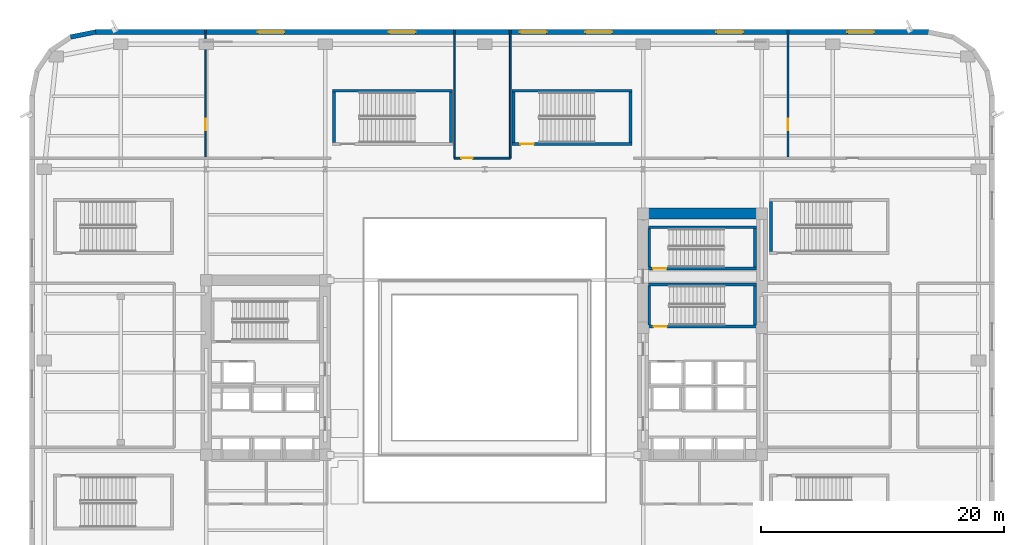
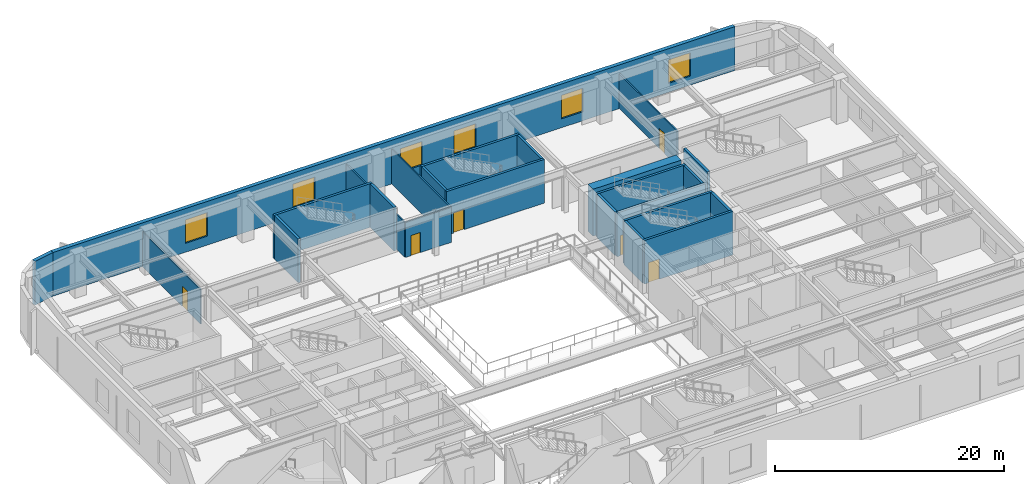
# One storey, part 10 of 24: 24 walls, 6 doors, 6 windows, 12 openings.
"""IFC4 building model written with IfcOpenShell, lengths in metres."""

from ifc_helpers import new_model, si_unit, direction, frame, frame_2d, origin, place, context, subcontext, project, spatial, rectangle, extrude, material, layer, layer_set, type_object, element, fill, save


model = new_model("IFC4")

# Units and contexts
model_context = context("Model", 3, precision=1e-05, world=origin(), true_north=direction((0.0, 1.0)))
body_context = subcontext(model_context, "Body", "Model", "MODEL_VIEW")
ifc_project = project(units=[si_unit("LENGTHUNIT", "METRE"), si_unit("AREAUNIT", "SQUARE_METRE"), si_unit("VOLUMEUNIT", "CUBIC_METRE"), si_unit("PLANEANGLEUNIT", "RADIAN"), si_unit("MASSUNIT", "GRAM", prefix="KILO")], contexts=[model_context])

# Site, building, storey
site_placement = place(None, origin())
site = spatial("IfcSite", under=ifc_project, at=site_placement, CompositionType="ELEMENT")
building_placement = place(site_placement, origin())
building = spatial("IfcBuilding", under=site, at=building_placement, Name="Kolvaren Arena Tower", CompositionType="ELEMENT")
storey_placement = place(building_placement, frame((0.0, 0.0, 23.0)))
storey = spatial("IfcBuildingStorey", under=building, at=storey_placement, Name="L04", CompositionType="ELEMENT", Elevation=23.0)

# Wall, opening, door
ifc_material_1 = material(Name="Gypsum board acoustic assembly", Category="gypsum")
ifc_layer_1 = layer(ifc_material_1, 0.159912109375)
ifc_layer_set_1 = layer_set([ifc_layer_1], Name="Gypsum board acoustic assembly")
wall_type_1 = type_object("IfcWallType", Name="CORR-160", PredefinedType="PARTITIONING", material=ifc_layer_set_1)
wall_1_placement = place(storey_placement, frame((35.0, 43.919921875, 0.0), z_axis=(0.0, 0.0, 1.0), x_axis=(1.0, 0.0, 0.0)))
wall_1 = element("IfcWall", 1, at=wall_1_placement, inside=storey, type_object=wall_type_1, Name="Interior Partition Wall (L04)", PredefinedType="PARTITIONING", context=body_context, shape_type="SweptSolid", body=[
    extrude(rectangle(XDim=4.60009765625, YDim=0.159912109375, at=frame_2d((2.300048828125, 0.0))), origin(), (0.0, 0.0, 1.0), 3.7099609375),
])
opening_1_placement = place(wall_1_placement, frame((0.550048828125, 0.0, 0.0)))
opening_1 = element("IfcOpeningElement", 2, at=opening_1_placement, cuts=wall_1, Name="Opening D05", PredefinedType="OPENING", context=body_context, shape_type="SweptSolid", body=[
    extrude(rectangle(XDim=0.949951171875, YDim=2.14990234375, at=frame_2d((0.47509765625, 1.074951171875))), frame((0.0, 0.08984375, 0.0), z_axis=(0.0, -1.0, 0.0), x_axis=(1.0, 0.0, 0.0)), (0.0, 0.0, 1.0), 0.179931640625),
])
ifc_material_2 = material(Name="Solid-core oak acoustic office door", Category="wood")
door_type_1 = type_object("IfcDoorType", Name="DOOR-OF-095", OperationType="NOTDEFINED", PredefinedType="DOOR", material=ifc_material_2)
door_1_placement = place(opening_1_placement, origin())
door_1 = element("IfcDoor", 3, at=door_1_placement, inside=storey, type_object=door_type_1, Name="North Concourse Lounge Door (L04)", OperationType="SINGLE_SWING_RIGHT", OverallHeight=2.14990234375, OverallWidth=0.949951171875, PredefinedType="DOOR", context=body_context, shape_type="SweptSolid", body=[
    extrude(rectangle(XDim=0.949951171875, YDim=2.14990234375, at=frame_2d((0.47509765625, 1.074951171875))), frame((0.0, 0.02490234375, 0.0), z_axis=(0.0, -1.0, 0.0), x_axis=(1.0, 0.0, 0.0)), (0.0, 0.0, 1.0), 0.050048828125),
])
fill(opening_1, door_1)

# Wall
ifc_material_3 = material(Name="Concrete 80 MPa", Category="concrete")
ifc_layer_2 = layer(ifc_material_3, 0.89990234375)
ifc_layer_set_2 = layer_set([ifc_layer_2], Name="Concrete 80 MPa")
wall_type_2 = type_object("IfcWallType", Name="CWALL-900", PredefinedType="SHEAR", material=ifc_layer_set_2)
wall_2_placement = place(storey_placement, frame((51.0, 39.35009765625, -0.35009765625), z_axis=(0.0, 0.0, 1.0), x_axis=(1.0, 0.0, 0.0)))
element("IfcWall", 4, at=wall_2_placement, inside=storey, type_object=wall_type_2, Name="Core Shear Wall EC-NORTH (L04)", PredefinedType="SHEAR", context=body_context, shape_type="SweptSolid", body=[
    extrude(rectangle(XDim=8.89990234375, YDim=0.89990234375, at=frame_2d((4.449951171875, 0.0))), origin(), (0.0, 0.0, 1.0), 5.0),
])

# Wall, openings, windows
ifc_material_4 = material(Name="Precast concrete C50/60", Category="concrete")
ifc_layer_3 = layer(ifc_material_4, 0.3798828125)
ifc_layer_set_3 = layer_set([ifc_layer_3], Name="Precast concrete C50/60")
wall_type_3 = type_object("IfcWallType", Name="EXT-ARENA", PredefinedType="SOLIDWALL", material=ifc_layer_set_3)
wall_3_placement = place(storey_placement, frame((5.39990234375, 54.31005859375, 0.0), z_axis=(0.0, 0.0, 1.0), x_axis=(1.0, 0.0, 0.0)))
wall_3 = element("IfcWall", 5, at=wall_3_placement, inside=storey, type_object=wall_type_3, Name="Exterior Precast Masonry-Frame Wall (L04)", PredefinedType="SOLIDWALL", context=body_context, shape_type="SweptSolid", body=[
    extrude(rectangle(XDim=68.7001953125, YDim=0.3798828125, at=frame_2d((34.35009765625, 0.0))), origin(), (0.0, 0.0, 1.0), 4.64990234375),
])
opening_2_placement = place(wall_3_placement, frame((13.39990234375, 0.0, 0.949951171875)))
opening_2 = element("IfcOpeningElement", 6, at=opening_2_placement, cuts=wall_3, Name="Opening W07", PredefinedType="OPENING", context=body_context, shape_type="SweptSolid", body=[
    extrude(rectangle(XDim=2.199951171875, YDim=2.5, at=frame_2d((1.10009765625, 1.25))), frame((0.0, 0.199951171875, 0.0), z_axis=(0.0, -1.0, 0.0), x_axis=(1.0, 0.0, 0.0)), (0.0, 0.0, 1.0), 0.39990234375),
])
opening_3_placement = place(wall_3_placement, frame((24.199951171875, 0.0, 0.949951171875)))
opening_3 = element("IfcOpeningElement", 7, at=opening_3_placement, cuts=wall_3, Name="Opening W07", PredefinedType="OPENING", context=body_context, shape_type="SweptSolid", body=[
    extrude(rectangle(XDim=2.199951171875, YDim=2.5, at=frame_2d((1.10009765625, 1.25))), frame((0.0, 0.199951171875, 0.0), z_axis=(0.0, -1.0, 0.0), x_axis=(1.0, 0.0, 0.0)), (0.0, 0.0, 1.0), 0.39990234375),
])
opening_4_placement = place(wall_3_placement, frame((35.0, 0.0, 0.949951171875)))
opening_4 = element("IfcOpeningElement", 8, at=opening_4_placement, cuts=wall_3, Name="Opening W07", PredefinedType="OPENING", context=body_context, shape_type="SweptSolid", body=[
    extrude(rectangle(XDim=2.199951171875, YDim=2.5, at=frame_2d((1.10009765625, 1.25))), frame((0.0, 0.199951171875, 0.0), z_axis=(0.0, -1.0, 0.0), x_axis=(1.0, 0.0, 0.0)), (0.0, 0.0, 1.0), 0.39990234375),
])
opening_5_placement = place(wall_3_placement, frame((40.39990234375, 0.0, 0.949951171875)))
opening_5 = element("IfcOpeningElement", 9, at=opening_5_placement, cuts=wall_3, Name="Opening W07", PredefinedType="OPENING", context=body_context, shape_type="SweptSolid", body=[
    extrude(rectangle(XDim=2.199951171875, YDim=2.5, at=frame_2d((1.10009765625, 1.25))), frame((0.0, 0.199951171875, 0.0), z_axis=(0.0, -1.0, 0.0), x_axis=(1.0, 0.0, 0.0)), (0.0, 0.0, 1.0), 0.39990234375),
])
opening_6_placement = place(wall_3_placement, frame((51.199951171875, 0.0, 0.949951171875)))
opening_6 = element("IfcOpeningElement", 10, at=opening_6_placement, cuts=wall_3, Name="Opening W07", PredefinedType="OPENING", context=body_context, shape_type="SweptSolid", body=[
    extrude(rectangle(XDim=2.199951171875, YDim=2.5, at=frame_2d((1.10009765625, 1.25))), frame((0.0, 0.199951171875, 0.0), z_axis=(0.0, -1.0, 0.0), x_axis=(1.0, 0.0, 0.0)), (0.0, 0.0, 1.0), 0.39990234375),
])
opening_7_placement = place(wall_3_placement, frame((62.0, 0.0, 0.949951171875)))
opening_7 = element("IfcOpeningElement", 11, at=opening_7_placement, cuts=wall_3, Name="Opening W07", PredefinedType="OPENING", context=body_context, shape_type="SweptSolid", body=[
    extrude(rectangle(XDim=2.199951171875, YDim=2.5, at=frame_2d((1.10009765625, 1.25))), frame((0.0, 0.199951171875, 0.0), z_axis=(0.0, -1.0, 0.0), x_axis=(1.0, 0.0, 0.0)), (0.0, 0.0, 1.0), 0.39990234375),
])
ifc_material_5 = material(Name="Triple-glazed arena concourse window", Category="glass")
window_type = type_object("IfcWindowType", Name="WIN-POD-A", PartitioningType="DOUBLE_PANEL_VERTICAL", PredefinedType="WINDOW", material=ifc_material_5)
window_1_placement = place(opening_2_placement, origin())
window_1 = element("IfcWindow", 12, at=window_1_placement, inside=storey, type_object=window_type, Name="Punched Precast-Pier Window (L04)", OverallHeight=2.5, OverallWidth=2.199951171875, PartitioningType="DOUBLE_PANEL_VERTICAL", PredefinedType="WINDOW", context=body_context, shape_type="SweptSolid", body=[
    extrude(rectangle(XDim=2.199951171875, YDim=2.5, at=frame_2d((1.10009765625, 1.25))), frame((0.0, 0.030029296875, 0.0), z_axis=(0.0, -1.0, 0.0), x_axis=(1.0, 0.0, 0.0)), (0.0, 0.0, 1.0), 0.06005859375),
])
fill(opening_2, window_1)
window_2_placement = place(opening_3_placement, origin())
window_2 = element("IfcWindow", 13, at=window_2_placement, inside=storey, type_object=window_type, Name="Punched Precast-Pier Window (L04)", OverallHeight=2.5, OverallWidth=2.199951171875, PartitioningType="DOUBLE_PANEL_VERTICAL", PredefinedType="WINDOW", context=body_context, shape_type="SweptSolid", body=[
    extrude(rectangle(XDim=2.199951171875, YDim=2.5, at=frame_2d((1.10009765625, 1.25))), frame((0.0, 0.030029296875, 0.0), z_axis=(0.0, -1.0, 0.0), x_axis=(1.0, 0.0, 0.0)), (0.0, 0.0, 1.0), 0.06005859375),
])
fill(opening_3, window_2)
window_3_placement = place(opening_4_placement, origin())
window_3 = element("IfcWindow", 14, at=window_3_placement, inside=storey, type_object=window_type, Name="Punched Precast-Pier Window (L04)", OverallHeight=2.5, OverallWidth=2.199951171875, PartitioningType="DOUBLE_PANEL_VERTICAL", PredefinedType="WINDOW", context=body_context, shape_type="SweptSolid", body=[
    extrude(rectangle(XDim=2.199951171875, YDim=2.5, at=frame_2d((1.10009765625, 1.25))), frame((0.0, 0.030029296875, 0.0), z_axis=(0.0, -1.0, 0.0), x_axis=(1.0, 0.0, 0.0)), (0.0, 0.0, 1.0), 0.06005859375),
])
fill(opening_4, window_3)
window_4_placement = place(opening_5_placement, origin())
window_4 = element("IfcWindow", 15, at=window_4_placement, inside=storey, type_object=window_type, Name="Punched Precast-Pier Window (L04)", OverallHeight=2.5, OverallWidth=2.199951171875, PartitioningType="DOUBLE_PANEL_VERTICAL", PredefinedType="WINDOW", context=body_context, shape_type="SweptSolid", body=[
    extrude(rectangle(XDim=2.199951171875, YDim=2.5, at=frame_2d((1.10009765625, 1.25))), frame((0.0, 0.030029296875, 0.0), z_axis=(0.0, -1.0, 0.0), x_axis=(1.0, 0.0, 0.0)), (0.0, 0.0, 1.0), 0.06005859375),
])
fill(opening_5, window_4)
window_5_placement = place(opening_6_placement, origin())
window_5 = element("IfcWindow", 16, at=window_5_placement, inside=storey, type_object=window_type, Name="Punched Precast-Pier Window (L04)", OverallHeight=2.5, OverallWidth=2.199951171875, PartitioningType="DOUBLE_PANEL_VERTICAL", PredefinedType="WINDOW", context=body_context, shape_type="SweptSolid", body=[
    extrude(rectangle(XDim=2.199951171875, YDim=2.5, at=frame_2d((1.10009765625, 1.25))), frame((0.0, 0.030029296875, 0.0), z_axis=(0.0, -1.0, 0.0), x_axis=(1.0, 0.0, 0.0)), (0.0, 0.0, 1.0), 0.06005859375),
])
fill(opening_6, window_5)
window_6_placement = place(opening_7_placement, origin())
window_6 = element("IfcWindow", 17, at=window_6_placement, inside=storey, type_object=window_type, Name="Punched Precast-Pier Window (L04)", OverallHeight=2.5, OverallWidth=2.199951171875, PartitioningType="DOUBLE_PANEL_VERTICAL", PredefinedType="WINDOW", context=body_context, shape_type="SweptSolid", body=[
    extrude(rectangle(XDim=2.199951171875, YDim=2.5, at=frame_2d((1.10009765625, 1.25))), frame((0.0, 0.030029296875, 0.0), z_axis=(0.0, -1.0, 0.0), x_axis=(1.0, 0.0, 0.0)), (0.0, 0.0, 1.0), 0.06005859375),
])
fill(opening_7, window_6)

# Wall
wall_4_placement = place(storey_placement, frame((3.37060546875, 53.902587890625, 0.0), z_axis=(0.0, 0.0, 1.0), x_axis=(0.9807762837, 0.195135546048, 0.0)))
element("IfcWall", 18, at=wall_4_placement, inside=storey, type_object=wall_type_3, Name="Exterior Precast Masonry-Frame Wall (L04)", PredefinedType="SOLIDWALL", context=body_context, shape_type="SweptSolid", body=[
    extrude(rectangle(XDim=2.10693359375, YDim=0.3798828125, at=frame_2d((1.053466796875, 0.0))), origin(), (0.0, 0.0, 1.0), 4.64990234375),
])

# Wall, opening, door
ifc_material_6 = material(Name="Gypsum board partition assembly", Category="gypsum")
ifc_layer_4 = layer(ifc_material_6, 0.135009765625)
ifc_layer_set_4 = layer_set([ifc_layer_4], Name="Gypsum board partition assembly")
wall_type_4 = type_object("IfcWallType", Name="PART-135", PredefinedType="PARTITIONING", material=ifc_layer_set_4)
wall_5_placement = place(storey_placement, frame((14.5, 44.010009765625, 0.0), z_axis=(0.0, 0.0, 1.0), x_axis=(0.0, 1.0, 0.0)))
wall_5 = element("IfcWall", 19, at=wall_5_placement, inside=storey, type_object=wall_type_4, Name="Interior Partition Wall (L04)", PredefinedType="PARTITIONING", context=body_context, shape_type="SweptSolid", body=[
    extrude(rectangle(XDim=10.489990234375, YDim=0.135009765625, at=frame_2d((5.2451171875, 0.0))), origin(), (0.0, 0.0, 1.0), 3.7099609375),
])
opening_8_placement = place(wall_5_placement, frame((2.199951171875, 0.0, 0.0)))
opening_8 = element("IfcOpeningElement", 20, at=opening_8_placement, cuts=wall_5, Name="Opening D05", PredefinedType="OPENING", context=body_context, shape_type="SweptSolid", body=[
    extrude(rectangle(XDim=0.949951171875, YDim=2.14990234375, at=frame_2d((0.47509765625, 1.074951171875))), frame((0.0, 0.077392578125, 0.0), z_axis=(0.0, -1.0, 0.0), x_axis=(1.0, 0.0, 0.0)), (0.0, 0.0, 1.0), 0.155029296875),
])
door_2_placement = place(opening_8_placement, origin())
door_2 = element("IfcDoor", 21, at=door_2_placement, inside=storey, type_object=door_type_1, Name="Meeting Room Connecting Door (L04)", OperationType="SINGLE_SWING_LEFT", OverallHeight=2.14990234375, OverallWidth=0.949951171875, PredefinedType="DOOR", context=body_context, shape_type="SweptSolid", body=[
    extrude(rectangle(XDim=0.949951171875, YDim=2.14990234375, at=frame_2d((0.47509765625, 1.074951171875))), frame((0.0, 0.02490234375, 0.0), z_axis=(0.0, -1.0, 0.0), x_axis=(1.0, 0.0, 0.0)), (0.0, 0.0, 1.0), 0.050048828125),
])
fill(opening_8, door_2)

wall_6_placement = place(storey_placement, frame((62.5, 44.010009765625, 0.0), z_axis=(0.0, 0.0, 1.0), x_axis=(0.0, 1.0, 0.0)))
wall_6 = element("IfcWall", 22, at=wall_6_placement, inside=storey, type_object=wall_type_4, Name="Interior Partition Wall (L04)", PredefinedType="PARTITIONING", context=body_context, shape_type="SweptSolid", body=[
    extrude(rectangle(XDim=10.489990234375, YDim=0.135009765625, at=frame_2d((5.2451171875, 0.0))), origin(), (0.0, 0.0, 1.0), 3.7099609375),
])
opening_9_placement = place(wall_6_placement, frame((2.199951171875, 0.0, 0.0)))
opening_9 = element("IfcOpeningElement", 23, at=opening_9_placement, cuts=wall_6, Name="Opening D05", PredefinedType="OPENING", context=body_context, shape_type="SweptSolid", body=[
    extrude(rectangle(XDim=0.949951171875, YDim=2.14990234375, at=frame_2d((0.47509765625, 1.074951171875))), frame((0.0, 0.077392578125, 0.0), z_axis=(0.0, -1.0, 0.0), x_axis=(1.0, 0.0, 0.0)), (0.0, 0.0, 1.0), 0.155029296875),
])
door_3_placement = place(opening_9_placement, origin())
door_3 = element("IfcDoor", 24, at=door_3_placement, inside=storey, type_object=door_type_1, Name="Training Seminar Room Connecting Door (L04)", OperationType="SINGLE_SWING_LEFT", OverallHeight=2.14990234375, OverallWidth=0.949951171875, PredefinedType="DOOR", context=body_context, shape_type="SweptSolid", body=[
    extrude(rectangle(XDim=0.949951171875, YDim=2.14990234375, at=frame_2d((0.47509765625, 1.074951171875))), frame((0.0, 0.02490234375, 0.0), z_axis=(0.0, -1.0, 0.0), x_axis=(1.0, 0.0, 0.0)), (0.0, 0.0, 1.0), 0.050048828125),
])
fill(opening_9, door_3)

# Walls
for number, where, z_axis, x_axis, name in (
    (25, (35.0, 43.919921875, 0.0), (0.0, 0.0, 1.0), (0.0, 1.0, 0.0), "Interior Partition Wall (L04)"),
    (26, (39.60009765625, 43.919921875, 0.0), (0.0, 0.0, 1.0), (0.0, 1.0, 0.0), "Interior Partition Wall (L04)"),
):
    element("IfcWall", number, at=place(storey_placement, frame(where, z_axis=z_axis, x_axis=x_axis)), inside=storey, type_object=wall_type_4, Name=name, PredefinedType="PARTITIONING", context=body_context, shape_type="SweptSolid", body=[
        extrude(rectangle(XDim=10.580078125, YDim=0.135009765625, at=frame_2d((5.2900390625, 0.0))), origin(), (0.0, 0.0, 1.0), 3.7099609375),
    ])
ifc_material_7 = material(Name="Concrete 45 MPa", Category="concrete")
ifc_layer_5 = layer(ifc_material_7, 0.25)
ifc_layer_set_5 = layer_set([ifc_layer_5], Name="Concrete 45 MPa")
wall_type_5 = type_object("IfcWallType", Name="SHAFT-250", PredefinedType="SOLIDWALL", material=ifc_layer_set_5)
wall_7_placement = place(storey_placement, frame((24.9599609375, 49.469970703125, 0.0), z_axis=(0.0, 0.0, 1.0), x_axis=(1.0, 0.0, 0.0)))
element("IfcWall", 27, at=wall_7_placement, inside=storey, type_object=wall_type_5, Name="Stair ST-A6 Rear Shaft Wall (L04)", PredefinedType="SOLIDWALL", context=body_context, shape_type="SweptSolid", body=[
    extrude(rectangle(XDim=9.880126953125, YDim=0.239990234375, at=frame_2d((4.93994140625, 0.0))), origin(), (0.0, 0.0, 1.0), 4.64990234375),
])
for number, where, z_axis, x_axis, name in (
    (28, (25.080078125, 45.199951171875, 0.0), (0.0, 0.0, 1.0), (0.0, 1.0, 0.0), "Stair ST-A6 West Shaft Wall (L04)"),
    (29, (34.719970703125, 45.199951171875, 0.0), (0.0, 0.0, 1.0), (0.0, 1.0, 0.0), "Stair ST-A6 East Shaft Wall (L04)"),
):
    element("IfcWall", number, at=place(storey_placement, frame(where, z_axis=z_axis, x_axis=x_axis)), inside=storey, type_object=wall_type_5, Name=name, PredefinedType="SOLIDWALL", context=body_context, shape_type="SweptSolid", body=[
        extrude(rectangle(XDim=4.150146484375, YDim=0.239990234375, at=frame_2d((2.0751953125, 0.0))), origin(), (0.0, 0.0, 1.0), 4.64990234375),
    ])

# Wall, opening, door
wall_8_placement = place(storey_placement, frame((49.639892578125, 45.080078125, 0.0), z_axis=(0.0, 0.0, 1.0), x_axis=(-1.0, 0.0, 0.0)))
wall_8 = element("IfcWall", 30, at=wall_8_placement, inside=storey, type_object=wall_type_5, Name="Stair ST-A7 Rated Enclosure Wall (L04)", PredefinedType="SOLIDWALL", context=body_context, shape_type="SweptSolid", body=[
    extrude(rectangle(XDim=9.8798828125, YDim=0.239990234375, at=frame_2d((4.93994140625, 0.0))), origin(), (0.0, 0.0, 1.0), 4.64990234375),
])
opening_10_placement = place(wall_8_placement, frame((8.090087890625, 0.0, 0.0)))
opening_10 = element("IfcOpeningElement", 31, at=opening_10_placement, cuts=wall_8, Name="Opening D03", PredefinedType="OPENING", context=body_context, shape_type="SweptSolid", body=[
    extrude(rectangle(XDim=1.10009765625, YDim=2.14990234375, at=frame_2d((0.550048828125, 1.074951171875))), frame((0.0, 0.1298828125, 0.0), z_axis=(0.0, -1.0, 0.0), x_axis=(1.0, 0.0, 0.0)), (0.0, 0.0, 1.0), 0.260009765625),
])
ifc_material_8 = material(Name="Fire-rated steel exit stair door", Category="steel")
door_type_2 = type_object("IfcDoorType", Name="DOOR-ST-110", OperationType="NOTDEFINED", PredefinedType="DOOR", material=ifc_material_8)
door_4_placement = place(opening_10_placement, origin())
door_4 = element("IfcDoor", 32, at=door_4_placement, inside=storey, type_object=door_type_2, Name="Exit Stair ST-A7 Fire Door (L04)", OperationType="SINGLE_SWING_LEFT", OverallHeight=2.14990234375, OverallWidth=1.10009765625, PredefinedType="DOOR", context=body_context, shape_type="SweptSolid", body=[
    extrude(rectangle(XDim=1.10009765625, YDim=2.14990234375, at=frame_2d((0.550048828125, 1.074951171875))), frame((0.0, 0.02490234375, 0.0), z_axis=(0.0, -1.0, 0.0), x_axis=(1.0, 0.0, 0.0)), (0.0, 0.0, 1.0), 0.050048828125),
])
fill(opening_10, door_4)

# Walls
wall_9_placement = place(storey_placement, frame((39.760009765625, 49.469970703125, 0.0), z_axis=(0.0, 0.0, 1.0), x_axis=(1.0, 0.0, 0.0)))
element("IfcWall", 33, at=wall_9_placement, inside=storey, type_object=wall_type_5, Name="Stair ST-A7 Rear Shaft Wall (L04)", PredefinedType="SOLIDWALL", context=body_context, shape_type="SweptSolid", body=[
    extrude(rectangle(XDim=9.8798828125, YDim=0.239990234375, at=frame_2d((4.93994140625, 0.0))), origin(), (0.0, 0.0, 1.0), 4.64990234375),
])
for number, where, z_axis, x_axis, name in (
    (34, (39.8798828125, 45.199951171875, 0.0), (0.0, 0.0, 1.0), (0.0, 1.0, 0.0), "Stair ST-A7 West Shaft Wall (L04)"),
    (35, (49.52001953125, 45.199951171875, 0.0), (0.0, 0.0, 1.0), (0.0, 1.0, 0.0), "Stair ST-A7 East Shaft Wall (L04)"),
    (36, (61.080078125, 36.199951171875, 0.0), (0.0, 0.0, 1.0), (0.0, 1.0, 0.0), "Stair ST-A8 West Shaft Wall (L04)"),
):
    element("IfcWall", number, at=place(storey_placement, frame(where, z_axis=z_axis, x_axis=x_axis)), inside=storey, type_object=wall_type_5, Name=name, PredefinedType="SOLIDWALL", context=body_context, shape_type="SweptSolid", body=[
        extrude(rectangle(XDim=4.150146484375, YDim=0.239990234375, at=frame_2d((2.0751953125, 0.0))), origin(), (0.0, 0.0, 1.0), 4.64990234375),
    ])

# Wall, opening, door
wall_10_placement = place(storey_placement, frame((59.89990234375, 30.030029296875, 0.0), z_axis=(0.0, 0.0, 1.0), x_axis=(-1.0, 0.0, 0.0)))
wall_10 = element("IfcWall", 37, at=wall_10_placement, inside=storey, type_object=wall_type_5, Name="Core Shaft Wall (L04)", PredefinedType="SOLIDWALL", context=body_context, shape_type="SweptSolid", body=[
    extrude(rectangle(XDim=8.89990234375, YDim=0.239990234375, at=frame_2d((4.449951171875, 0.0))), origin(), (0.0, 0.0, 1.0), 4.64990234375),
])
opening_11_placement = place(wall_10_placement, frame((7.3798828125, 0.0, 0.0)))
opening_11 = element("IfcOpeningElement", 38, at=opening_11_placement, cuts=wall_10, Name="Opening D03", PredefinedType="OPENING", context=body_context, shape_type="SweptSolid", body=[
    extrude(rectangle(XDim=1.10009765625, YDim=2.14990234375, at=frame_2d((0.550048828125, 1.074951171875))), frame((0.0, 0.1298828125, 0.0), z_axis=(0.0, -1.0, 0.0), x_axis=(1.0, 0.0, 0.0)), (0.0, 0.0, 1.0), 0.260009765625),
])
door_5_placement = place(opening_11_placement, origin())
door_5 = element("IfcDoor", 39, at=door_5_placement, inside=storey, type_object=door_type_2, Name="Stair ST-E1 Fire Door (L04)", OperationType="SINGLE_SWING_LEFT", OverallHeight=2.14990234375, OverallWidth=1.10009765625, PredefinedType="DOOR", context=body_context, shape_type="SweptSolid", body=[
    extrude(rectangle(XDim=1.10009765625, YDim=2.14990234375, at=frame_2d((0.550048828125, 1.074951171875))), frame((0.0, 0.02490234375, 0.0), z_axis=(0.0, -1.0, 0.0), x_axis=(1.0, 0.0, 0.0)), (0.0, 0.0, 1.0), 0.050048828125),
])
fill(opening_11, door_5)

# Walls
wall_11_placement = place(storey_placement, frame((51.0, 33.5, 0.0), z_axis=(0.0, 0.0, 1.0), x_axis=(1.0, 0.0, 0.0)))
element("IfcWall", 40, at=wall_11_placement, inside=storey, type_object=wall_type_5, Name="Core Shaft Wall (L04)", PredefinedType="SOLIDWALL", context=body_context, shape_type="SweptSolid", body=[
    extrude(rectangle(XDim=8.89990234375, YDim=0.239990234375, at=frame_2d((4.449951171875, 0.0))), origin(), (0.0, 0.0, 1.0), 4.64990234375),
])
for number, where, z_axis, x_axis, name in (
    (41, (51.06005859375, 30.14990234375, 0.0), (0.0, 0.0, 1.0), (0.0, 1.0, 0.0), "Core Shaft Wall (L04)"),
    (42, (59.780029296875, 30.14990234375, 0.0), (0.0, 0.0, 1.0), (0.0, 1.0, 0.0), "Core Shaft Wall (L04)"),
):
    element("IfcWall", number, at=place(storey_placement, frame(where, z_axis=z_axis, x_axis=x_axis)), inside=storey, type_object=wall_type_5, Name=name, PredefinedType="SOLIDWALL", context=body_context, shape_type="SweptSolid", body=[
        extrude(rectangle(XDim=3.22998046875, YDim=0.239990234375, at=frame_2d((1.614990234375, 0.0))), origin(), (0.0, 0.0, 1.0), 4.64990234375),
    ])

# Wall, opening, door
wall_12_placement = place(storey_placement, frame((59.89990234375, 34.830078125, 0.0), z_axis=(0.0, 0.0, 1.0), x_axis=(-1.0, 0.0, 0.0)))
wall_12 = element("IfcWall", 43, at=wall_12_placement, inside=storey, type_object=wall_type_5, Name="Core Shaft Wall (L04)", PredefinedType="SOLIDWALL", context=body_context, shape_type="SweptSolid", body=[
    extrude(rectangle(XDim=8.89990234375, YDim=0.239990234375, at=frame_2d((4.449951171875, 0.0))), origin(), (0.0, 0.0, 1.0), 4.64990234375),
])
opening_12_placement = place(wall_12_placement, frame((7.419921875, 0.0, 0.0)))
opening_12 = element("IfcOpeningElement", 44, at=opening_12_placement, cuts=wall_12, Name="Opening D03", PredefinedType="OPENING", context=body_context, shape_type="SweptSolid", body=[
    extrude(rectangle(XDim=1.10009765625, YDim=2.14990234375, at=frame_2d((0.550048828125, 1.074951171875))), frame((0.0, 0.1298828125, 0.0), z_axis=(0.0, -1.0, 0.0), x_axis=(1.0, 0.0, 0.0)), (0.0, 0.0, 1.0), 0.260009765625),
])
door_6_placement = place(opening_12_placement, origin())
door_6 = element("IfcDoor", 45, at=door_6_placement, inside=storey, type_object=door_type_2, Name="Stair ST-E2 Fire Door (L04)", OperationType="SINGLE_SWING_LEFT", OverallHeight=2.14990234375, OverallWidth=1.10009765625, PredefinedType="DOOR", context=body_context, shape_type="SweptSolid", body=[
    extrude(rectangle(XDim=1.10009765625, YDim=2.14990234375, at=frame_2d((0.550048828125, 1.074951171875))), frame((0.0, 0.02490234375, 0.0), z_axis=(0.0, -1.0, 0.0), x_axis=(1.0, 0.0, 0.0)), (0.0, 0.0, 1.0), 0.050048828125),
])
fill(opening_12, door_6)

# Walls
wall_13_placement = place(storey_placement, frame((51.0, 38.219970703125, 0.0), z_axis=(0.0, 0.0, 1.0), x_axis=(1.0, 0.0, 0.0)))
element("IfcWall", 46, at=wall_13_placement, inside=storey, type_object=wall_type_5, Name="Core Shaft Wall (L04)", PredefinedType="SOLIDWALL", context=body_context, shape_type="SweptSolid", body=[
    extrude(rectangle(XDim=8.89990234375, YDim=0.239990234375, at=frame_2d((4.449951171875, 0.0))), origin(), (0.0, 0.0, 1.0), 4.64990234375),
])
for number, where, z_axis, x_axis, name in (
    (47, (51.06005859375, 34.949951171875, 0.0), (0.0, 0.0, 1.0), (0.0, 1.0, 0.0), "Core Shaft Wall (L04)"),
    (48, (59.780029296875, 34.949951171875, 0.0), (0.0, 0.0, 1.0), (0.0, 1.0, 0.0), "Core Shaft Wall (L04)"),
):
    element("IfcWall", number, at=place(storey_placement, frame(where, z_axis=z_axis, x_axis=x_axis)), inside=storey, type_object=wall_type_5, Name=name, PredefinedType="SOLIDWALL", context=body_context, shape_type="SweptSolid", body=[
        extrude(rectangle(XDim=3.150146484375, YDim=0.239990234375, at=frame_2d((1.5751953125, 0.0))), origin(), (0.0, 0.0, 1.0), 4.64990234375),
    ])

save(model, "model.ifc")
